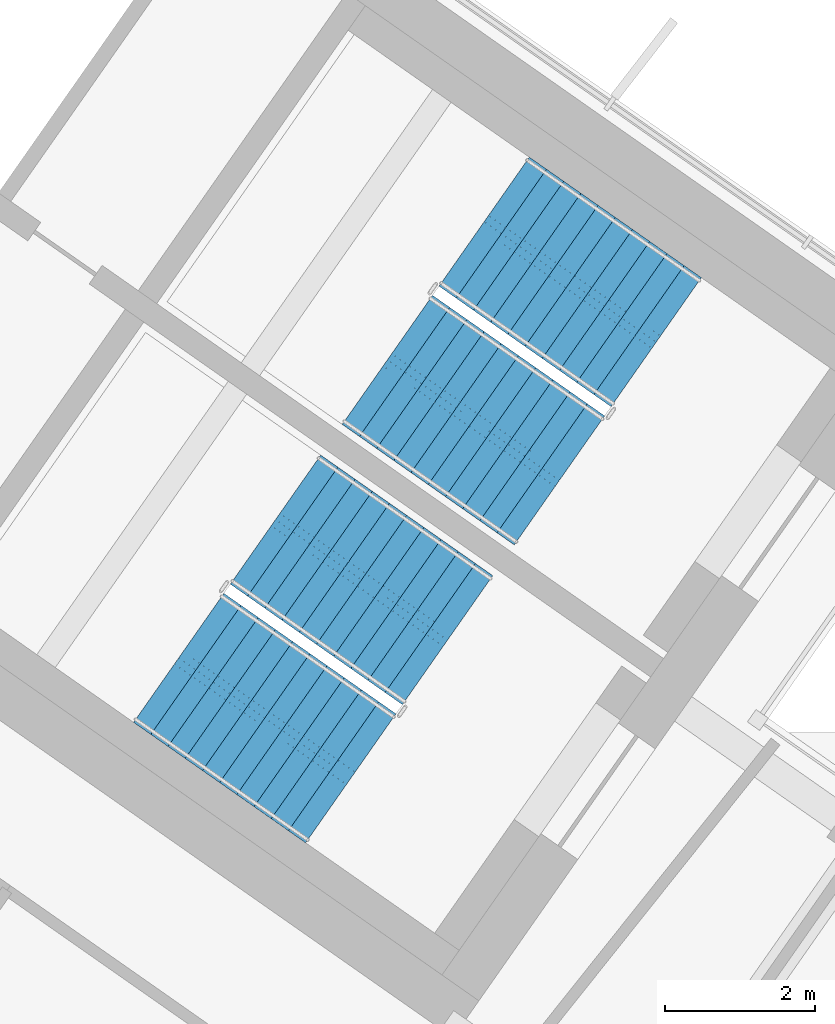
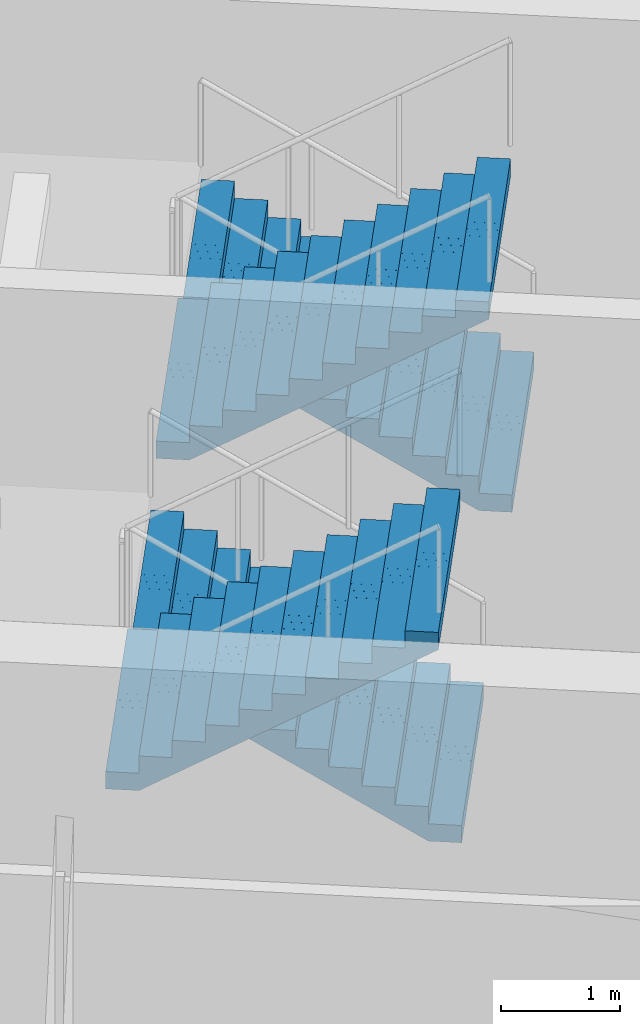
# One storey, part 12 of 18: 4 stair flights, 2 elements without a shape of their own.
"""IFC4 building model written with IfcOpenShell, lengths in metres."""

from ifc_helpers import new_model, si_unit, direction, frame, origin, place, context, subcontext, project, spatial, polyline, outline, extrude, material, type_object, element, aggregate, save


model = new_model("IFC4")

# Units and contexts
model_context = context("Model", 3, precision=1e-05, world=origin(), true_north=direction((0.0, 1.0)))
body_context = subcontext(model_context, "Body", "Model", "MODEL_VIEW")
ifc_project = project(units=[si_unit("LENGTHUNIT", "METRE"), si_unit("AREAUNIT", "SQUARE_METRE"), si_unit("VOLUMEUNIT", "CUBIC_METRE"), si_unit("PLANEANGLEUNIT", "RADIAN"), si_unit("MASSUNIT", "GRAM", prefix="KILO")], contexts=[model_context])

# Site, building, storey
site_placement = place(None, origin())
site = spatial("IfcSite", under=ifc_project, at=site_placement, CompositionType="ELEMENT")
building_placement = place(site_placement, origin())
building = spatial("IfcBuilding", under=site, at=building_placement, Name="Tel Ilan Convention Tower", CompositionType="ELEMENT")
storey_placement = place(building_placement, frame((0.0, 0.0, 303.39990234375)))
storey = spatial("IfcBuildingStorey", under=building, at=storey_placement, Name="L72", CompositionType="ELEMENT", Elevation=303.39990234375)

# Stair, stair flights
ifc_material_1 = material(Name="Concrete C40/50", Category="concrete")
stair_type = type_object("IfcStairType", Name="Pressurised Exit Stair 22 risers 177 mm", PredefinedType="HALF_TURN_STAIR", material=ifc_material_1)
stair_1_placement = place(storey_placement, origin())
stair_1 = element("IfcStair", 1, at=stair_1_placement, inside=storey, type_object=stair_type, Name="L72 Pressurised Stair S3", PredefinedType="HALF_TURN_STAIR")
ifc_material_2 = material(Name="Precast Concrete C40/50", Category="concrete")
stair_flight_type = type_object("IfcStairFlightType", Name="Concrete Stair Flight 2100 mm 22 risers 177 mm", PredefinedType="STRAIGHT", material=ifc_material_2)
stair_flight_1_placement = place(storey_placement, frame((24.25244140625, -7.032470703125, 0.0), z_axis=(0.0, 0.0, 1.0), x_axis=(-0.819152044289, 0.573576436351, 0.0)))
stair_flight_1 = element("IfcStairFlight", 2, at=stair_flight_1_placement, type_object=stair_flight_type, Name="S3 flight 1", NumberOfRisers=11, NumberOfTreads=10, PredefinedType="STRAIGHT", RiserHeight=0.177272727, TreadLength=0.28, context=body_context, shape_type="SweptSolid", body=[
    extrude(outline(polyline([(0.0, 0.0), (0.0, 0.17724609375), (0.280029296875, 0.17724609375), (0.280029296875, 0.3544921875), (0.56005859375, 0.3544921875), (0.56005859375, 0.53173828125), (0.840087890625, 0.53173828125), (0.840087890625, 0.708984375), (1.1201171875, 0.708984375), (1.1201171875, 0.886474609375), (1.39990234375, 0.886474609375), (1.39990234375, 1.063720703125), (1.679931640625, 1.063720703125), (1.679931640625, 1.240966796875), (1.9599609375, 1.240966796875), (1.9599609375, 1.418212890625), (2.239990234375, 1.418212890625), (2.239990234375, 1.595458984375), (2.52001953125, 1.595458984375), (2.52001953125, 1.772705078125), (2.800048828125, 1.772705078125), (2.800048828125, 1.949951171875), (2.800048828125, 1.59521484375), (0.2802734375, 0.0), (0.0, 0.0)])), frame((0.0, -0.100341796875, 0.0), z_axis=(0.0, -1.0, 0.0), x_axis=(1.0, 0.0, 0.0)), (0.0, 0.0, 1.0), 0.94970703125),
    extrude(outline(polyline([(0.0, 0.0), (0.0, 0.17724609375), (0.280029296875, 0.17724609375), (0.280029296875, 0.3544921875), (0.56005859375, 0.3544921875), (0.56005859375, 0.53173828125), (0.840087890625, 0.53173828125), (0.840087890625, 0.708984375), (1.1201171875, 0.708984375), (1.1201171875, 0.886474609375), (1.39990234375, 0.886474609375), (1.39990234375, 1.063720703125), (1.679931640625, 1.063720703125), (1.679931640625, 1.240966796875), (1.9599609375, 1.240966796875), (1.9599609375, 1.418212890625), (2.239990234375, 1.418212890625), (2.239990234375, 1.595458984375), (2.52001953125, 1.595458984375), (2.52001953125, 1.772705078125), (2.800048828125, 1.772705078125), (2.800048828125, 1.949951171875), (2.800048828125, 1.59521484375), (0.2802734375, 0.0), (0.0, 0.0)])), frame((0.0, -0.000244140625, 0.0), z_axis=(0.0, -1.0, 0.0), x_axis=(1.0, 0.0, 0.0)), (0.0, 0.0, 1.0), 0.099609375),
    extrude(outline(polyline([(0.0, 0.0), (0.0, 0.17724609375), (0.280029296875, 0.17724609375), (0.280029296875, 0.3544921875), (0.56005859375, 0.3544921875), (0.56005859375, 0.53173828125), (0.840087890625, 0.53173828125), (0.840087890625, 0.708984375), (1.1201171875, 0.708984375), (1.1201171875, 0.886474609375), (1.39990234375, 0.886474609375), (1.39990234375, 1.063720703125), (1.679931640625, 1.063720703125), (1.679931640625, 1.240966796875), (1.9599609375, 1.240966796875), (1.9599609375, 1.418212890625), (2.239990234375, 1.418212890625), (2.239990234375, 1.595458984375), (2.52001953125, 1.595458984375), (2.52001953125, 1.772705078125), (2.800048828125, 1.772705078125), (2.800048828125, 1.949951171875), (2.800048828125, 1.59521484375), (0.2802734375, 0.0), (0.0, 0.0)])), frame((0.0, 0.099853515625, 0.0), z_axis=(0.0, -1.0, 0.0), x_axis=(1.0, 0.0, 0.0)), (0.0, 0.0, 1.0), 0.099609375),
    extrude(outline(polyline([(0.0, 0.0), (0.0, 0.17724609375), (0.280029296875, 0.17724609375), (0.280029296875, 0.3544921875), (0.56005859375, 0.3544921875), (0.56005859375, 0.53173828125), (0.840087890625, 0.53173828125), (0.840087890625, 0.708984375), (1.1201171875, 0.708984375), (1.1201171875, 0.886474609375), (1.39990234375, 0.886474609375), (1.39990234375, 1.063720703125), (1.679931640625, 1.063720703125), (1.679931640625, 1.240966796875), (1.9599609375, 1.240966796875), (1.9599609375, 1.418212890625), (2.239990234375, 1.418212890625), (2.239990234375, 1.595458984375), (2.52001953125, 1.595458984375), (2.52001953125, 1.772705078125), (2.800048828125, 1.772705078125), (2.800048828125, 1.949951171875), (2.800048828125, 1.59521484375), (0.2802734375, 0.0), (0.0, 0.0)])), frame((0.0, 1.050048828125, 0.0), z_axis=(0.0, -1.0, 0.0), x_axis=(1.0, 0.0, 0.0)), (0.0, 0.0, 1.0), 0.94970703125),
])
stair_flight_2_placement = place(storey_placement, frame((20.668212890625, -7.26953125, 1.9501953125), z_axis=(0.0, 0.0, 1.0), x_axis=(0.819152044289, -0.573576436351, 0.0)))
stair_flight_2 = element("IfcStairFlight", 3, at=stair_flight_2_placement, type_object=stair_flight_type, Name="S3 flight 2", NumberOfRisers=11, NumberOfTreads=10, PredefinedType="STRAIGHT", RiserHeight=0.177272727, TreadLength=0.28, context=body_context, shape_type="SweptSolid", body=[
    extrude(outline(polyline([(0.0, 0.0), (0.0, 0.17724609375), (0.280029296875, 0.17724609375), (0.280029296875, 0.3544921875), (0.56005859375, 0.3544921875), (0.56005859375, 0.53173828125), (0.840087890625, 0.53173828125), (0.840087890625, 0.708984375), (1.1201171875, 0.708984375), (1.1201171875, 0.886474609375), (1.39990234375, 0.886474609375), (1.39990234375, 1.063720703125), (1.679931640625, 1.063720703125), (1.679931640625, 1.240966796875), (1.9599609375, 1.240966796875), (1.9599609375, 1.418212890625), (2.239990234375, 1.418212890625), (2.239990234375, 1.595458984375), (2.52001953125, 1.595458984375), (2.52001953125, 1.772705078125), (2.800048828125, 1.772705078125), (2.800048828125, 1.949951171875), (2.800048828125, 1.59521484375), (0.2802734375, 0.0), (0.0, 0.0)])), frame((0.0, -0.100341796875, 0.0), z_axis=(0.0, -1.0, 0.0), x_axis=(1.0, 0.0, 0.0)), (0.0, 0.0, 1.0), 0.94970703125),
    extrude(outline(polyline([(0.0, 0.0), (0.0, 0.17724609375), (0.280029296875, 0.17724609375), (0.280029296875, 0.3544921875), (0.56005859375, 0.3544921875), (0.56005859375, 0.53173828125), (0.840087890625, 0.53173828125), (0.840087890625, 0.708984375), (1.1201171875, 0.708984375), (1.1201171875, 0.886474609375), (1.39990234375, 0.886474609375), (1.39990234375, 1.063720703125), (1.679931640625, 1.063720703125), (1.679931640625, 1.240966796875), (1.9599609375, 1.240966796875), (1.9599609375, 1.418212890625), (2.239990234375, 1.418212890625), (2.239990234375, 1.595458984375), (2.52001953125, 1.595458984375), (2.52001953125, 1.772705078125), (2.800048828125, 1.772705078125), (2.800048828125, 1.949951171875), (2.800048828125, 1.59521484375), (0.2802734375, 0.0), (0.0, 0.0)])), frame((0.0, -0.000244140625, 0.0), z_axis=(0.0, -1.0, 0.0), x_axis=(1.0, 0.0, 0.0)), (0.0, 0.0, 1.0), 0.099609375),
    extrude(outline(polyline([(0.0, 0.0), (0.0, 0.17724609375), (0.280029296875, 0.17724609375), (0.280029296875, 0.3544921875), (0.56005859375, 0.3544921875), (0.56005859375, 0.53173828125), (0.840087890625, 0.53173828125), (0.840087890625, 0.708984375), (1.1201171875, 0.708984375), (1.1201171875, 0.886474609375), (1.39990234375, 0.886474609375), (1.39990234375, 1.063720703125), (1.679931640625, 1.063720703125), (1.679931640625, 1.240966796875), (1.9599609375, 1.240966796875), (1.9599609375, 1.418212890625), (2.239990234375, 1.418212890625), (2.239990234375, 1.595458984375), (2.52001953125, 1.595458984375), (2.52001953125, 1.772705078125), (2.800048828125, 1.772705078125), (2.800048828125, 1.949951171875), (2.800048828125, 1.59521484375), (0.2802734375, 0.0), (0.0, 0.0)])), frame((0.0, 0.099853515625, 0.0), z_axis=(0.0, -1.0, 0.0), x_axis=(1.0, 0.0, 0.0)), (0.0, 0.0, 1.0), 0.099609375),
    extrude(outline(polyline([(0.0, 0.0), (0.0, 0.17724609375), (0.280029296875, 0.17724609375), (0.280029296875, 0.3544921875), (0.56005859375, 0.3544921875), (0.56005859375, 0.53173828125), (0.840087890625, 0.53173828125), (0.840087890625, 0.708984375), (1.1201171875, 0.708984375), (1.1201171875, 0.886474609375), (1.39990234375, 0.886474609375), (1.39990234375, 1.063720703125), (1.679931640625, 1.063720703125), (1.679931640625, 1.240966796875), (1.9599609375, 1.240966796875), (1.9599609375, 1.418212890625), (2.239990234375, 1.418212890625), (2.239990234375, 1.595458984375), (2.52001953125, 1.595458984375), (2.52001953125, 1.772705078125), (2.800048828125, 1.772705078125), (2.800048828125, 1.949951171875), (2.800048828125, 1.59521484375), (0.2802734375, 0.0), (0.0, 0.0)])), frame((0.0, 1.050048828125, 0.0), z_axis=(0.0, -1.0, 0.0), x_axis=(1.0, 0.0, 0.0)), (0.0, 0.0, 1.0), 0.94970703125),
])
aggregate(stair_1, [stair_flight_1, stair_flight_2])

stair_2_placement = place(storey_placement, origin())
stair_2 = element("IfcStair", 4, at=stair_2_placement, inside=storey, type_object=stair_type, Name="L72 Pressurised Stair S4", PredefinedType="HALF_TURN_STAIR")
stair_flight_3_placement = place(storey_placement, frame((21.470458984375, -11.00537109375, 0.0), z_axis=(0.0, 0.0, 1.0), x_axis=(-0.819152044289, 0.573576436351, 0.0)))
stair_flight_3 = element("IfcStairFlight", 5, at=stair_flight_3_placement, type_object=stair_flight_type, Name="S4 flight 1", NumberOfRisers=11, NumberOfTreads=10, PredefinedType="STRAIGHT", RiserHeight=0.177272727, TreadLength=0.28, context=body_context, shape_type="SweptSolid", body=[
    extrude(outline(polyline([(0.0, 0.0), (0.0, 0.17724609375), (0.280029296875, 0.17724609375), (0.280029296875, 0.3544921875), (0.56005859375, 0.3544921875), (0.56005859375, 0.53173828125), (0.840087890625, 0.53173828125), (0.840087890625, 0.708984375), (1.1201171875, 0.708984375), (1.1201171875, 0.886474609375), (1.39990234375, 0.886474609375), (1.39990234375, 1.063720703125), (1.679931640625, 1.063720703125), (1.679931640625, 1.240966796875), (1.9599609375, 1.240966796875), (1.9599609375, 1.418212890625), (2.239990234375, 1.418212890625), (2.239990234375, 1.595458984375), (2.52001953125, 1.595458984375), (2.52001953125, 1.772705078125), (2.800048828125, 1.772705078125), (2.800048828125, 1.949951171875), (2.800048828125, 1.59521484375), (0.2802734375, 0.0), (0.0, 0.0)])), frame((0.0, -0.100341796875, 0.0), z_axis=(0.0, -1.0, 0.0), x_axis=(1.0, 0.0, 0.0)), (0.0, 0.0, 1.0), 0.94970703125),
    extrude(outline(polyline([(0.0, 0.0), (0.0, 0.17724609375), (0.280029296875, 0.17724609375), (0.280029296875, 0.3544921875), (0.56005859375, 0.3544921875), (0.56005859375, 0.53173828125), (0.840087890625, 0.53173828125), (0.840087890625, 0.708984375), (1.1201171875, 0.708984375), (1.1201171875, 0.886474609375), (1.39990234375, 0.886474609375), (1.39990234375, 1.063720703125), (1.679931640625, 1.063720703125), (1.679931640625, 1.240966796875), (1.9599609375, 1.240966796875), (1.9599609375, 1.418212890625), (2.239990234375, 1.418212890625), (2.239990234375, 1.595458984375), (2.52001953125, 1.595458984375), (2.52001953125, 1.772705078125), (2.800048828125, 1.772705078125), (2.800048828125, 1.949951171875), (2.800048828125, 1.59521484375), (0.2802734375, 0.0), (0.0, 0.0)])), frame((0.0, -0.000244140625, 0.0), z_axis=(0.0, -1.0, 0.0), x_axis=(1.0, 0.0, 0.0)), (0.0, 0.0, 1.0), 0.099609375),
    extrude(outline(polyline([(0.0, 0.0), (0.0, 0.17724609375), (0.280029296875, 0.17724609375), (0.280029296875, 0.3544921875), (0.56005859375, 0.3544921875), (0.56005859375, 0.53173828125), (0.840087890625, 0.53173828125), (0.840087890625, 0.708984375), (1.1201171875, 0.708984375), (1.1201171875, 0.886474609375), (1.39990234375, 0.886474609375), (1.39990234375, 1.063720703125), (1.679931640625, 1.063720703125), (1.679931640625, 1.240966796875), (1.9599609375, 1.240966796875), (1.9599609375, 1.418212890625), (2.239990234375, 1.418212890625), (2.239990234375, 1.595458984375), (2.52001953125, 1.595458984375), (2.52001953125, 1.772705078125), (2.800048828125, 1.772705078125), (2.800048828125, 1.949951171875), (2.800048828125, 1.59521484375), (0.2802734375, 0.0), (0.0, 0.0)])), frame((0.0, 0.099853515625, 0.0), z_axis=(0.0, -1.0, 0.0), x_axis=(1.0, 0.0, 0.0)), (0.0, 0.0, 1.0), 0.099609375),
    extrude(outline(polyline([(0.0, 0.0), (0.0, 0.17724609375), (0.280029296875, 0.17724609375), (0.280029296875, 0.3544921875), (0.56005859375, 0.3544921875), (0.56005859375, 0.53173828125), (0.840087890625, 0.53173828125), (0.840087890625, 0.708984375), (1.1201171875, 0.708984375), (1.1201171875, 0.886474609375), (1.39990234375, 0.886474609375), (1.39990234375, 1.063720703125), (1.679931640625, 1.063720703125), (1.679931640625, 1.240966796875), (1.9599609375, 1.240966796875), (1.9599609375, 1.418212890625), (2.239990234375, 1.418212890625), (2.239990234375, 1.595458984375), (2.52001953125, 1.595458984375), (2.52001953125, 1.772705078125), (2.800048828125, 1.772705078125), (2.800048828125, 1.949951171875), (2.800048828125, 1.59521484375), (0.2802734375, 0.0), (0.0, 0.0)])), frame((0.0, 1.050048828125, 0.0), z_axis=(0.0, -1.0, 0.0), x_axis=(1.0, 0.0, 0.0)), (0.0, 0.0, 1.0), 0.94970703125),
])
stair_flight_4_placement = place(storey_placement, frame((17.886474609375, -11.242431640625, 1.9501953125), z_axis=(0.0, 0.0, 1.0), x_axis=(0.819152044289, -0.573576436351, 0.0)))
stair_flight_4 = element("IfcStairFlight", 6, at=stair_flight_4_placement, type_object=stair_flight_type, Name="S4 flight 2", NumberOfRisers=11, NumberOfTreads=10, PredefinedType="STRAIGHT", RiserHeight=0.177272727, TreadLength=0.28, context=body_context, shape_type="SweptSolid", body=[
    extrude(outline(polyline([(0.0, 0.0), (0.0, 0.17724609375), (0.280029296875, 0.17724609375), (0.280029296875, 0.3544921875), (0.56005859375, 0.3544921875), (0.56005859375, 0.53173828125), (0.840087890625, 0.53173828125), (0.840087890625, 0.708984375), (1.1201171875, 0.708984375), (1.1201171875, 0.886474609375), (1.39990234375, 0.886474609375), (1.39990234375, 1.063720703125), (1.679931640625, 1.063720703125), (1.679931640625, 1.240966796875), (1.9599609375, 1.240966796875), (1.9599609375, 1.418212890625), (2.239990234375, 1.418212890625), (2.239990234375, 1.595458984375), (2.52001953125, 1.595458984375), (2.52001953125, 1.772705078125), (2.800048828125, 1.772705078125), (2.800048828125, 1.949951171875), (2.800048828125, 1.59521484375), (0.2802734375, 0.0), (0.0, 0.0)])), frame((0.0, -0.100341796875, 0.0), z_axis=(0.0, -1.0, 0.0), x_axis=(1.0, 0.0, 0.0)), (0.0, 0.0, 1.0), 0.94970703125),
    extrude(outline(polyline([(0.0, 0.0), (0.0, 0.17724609375), (0.280029296875, 0.17724609375), (0.280029296875, 0.3544921875), (0.56005859375, 0.3544921875), (0.56005859375, 0.53173828125), (0.840087890625, 0.53173828125), (0.840087890625, 0.708984375), (1.1201171875, 0.708984375), (1.1201171875, 0.886474609375), (1.39990234375, 0.886474609375), (1.39990234375, 1.063720703125), (1.679931640625, 1.063720703125), (1.679931640625, 1.240966796875), (1.9599609375, 1.240966796875), (1.9599609375, 1.418212890625), (2.239990234375, 1.418212890625), (2.239990234375, 1.595458984375), (2.52001953125, 1.595458984375), (2.52001953125, 1.772705078125), (2.800048828125, 1.772705078125), (2.800048828125, 1.949951171875), (2.800048828125, 1.59521484375), (0.2802734375, 0.0), (0.0, 0.0)])), frame((0.0, -0.000244140625, 0.0), z_axis=(0.0, -1.0, 0.0), x_axis=(1.0, 0.0, 0.0)), (0.0, 0.0, 1.0), 0.099609375),
    extrude(outline(polyline([(0.0, 0.0), (0.0, 0.17724609375), (0.280029296875, 0.17724609375), (0.280029296875, 0.3544921875), (0.56005859375, 0.3544921875), (0.56005859375, 0.53173828125), (0.840087890625, 0.53173828125), (0.840087890625, 0.708984375), (1.1201171875, 0.708984375), (1.1201171875, 0.886474609375), (1.39990234375, 0.886474609375), (1.39990234375, 1.063720703125), (1.679931640625, 1.063720703125), (1.679931640625, 1.240966796875), (1.9599609375, 1.240966796875), (1.9599609375, 1.418212890625), (2.239990234375, 1.418212890625), (2.239990234375, 1.595458984375), (2.52001953125, 1.595458984375), (2.52001953125, 1.772705078125), (2.800048828125, 1.772705078125), (2.800048828125, 1.949951171875), (2.800048828125, 1.59521484375), (0.2802734375, 0.0), (0.0, 0.0)])), frame((0.0, 0.099853515625, 0.0), z_axis=(0.0, -1.0, 0.0), x_axis=(1.0, 0.0, 0.0)), (0.0, 0.0, 1.0), 0.099609375),
    extrude(outline(polyline([(0.0, 0.0), (0.0, 0.17724609375), (0.280029296875, 0.17724609375), (0.280029296875, 0.3544921875), (0.56005859375, 0.3544921875), (0.56005859375, 0.53173828125), (0.840087890625, 0.53173828125), (0.840087890625, 0.708984375), (1.1201171875, 0.708984375), (1.1201171875, 0.886474609375), (1.39990234375, 0.886474609375), (1.39990234375, 1.063720703125), (1.679931640625, 1.063720703125), (1.679931640625, 1.240966796875), (1.9599609375, 1.240966796875), (1.9599609375, 1.418212890625), (2.239990234375, 1.418212890625), (2.239990234375, 1.595458984375), (2.52001953125, 1.595458984375), (2.52001953125, 1.772705078125), (2.800048828125, 1.772705078125), (2.800048828125, 1.949951171875), (2.800048828125, 1.59521484375), (0.2802734375, 0.0), (0.0, 0.0)])), frame((0.0, 1.050048828125, 0.0), z_axis=(0.0, -1.0, 0.0), x_axis=(1.0, 0.0, 0.0)), (0.0, 0.0, 1.0), 0.94970703125),
])
aggregate(stair_2, [stair_flight_3, stair_flight_4])

save(model, "model.ifc")
